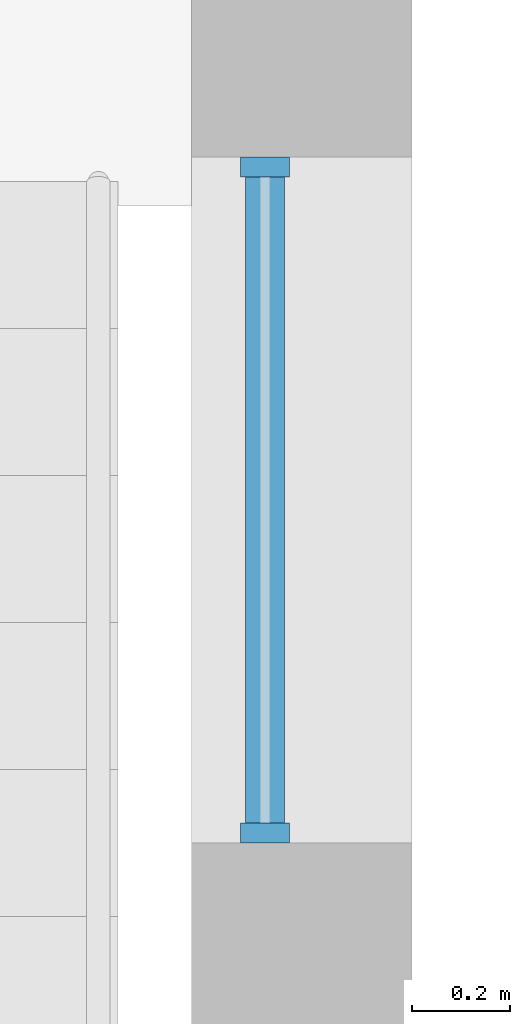
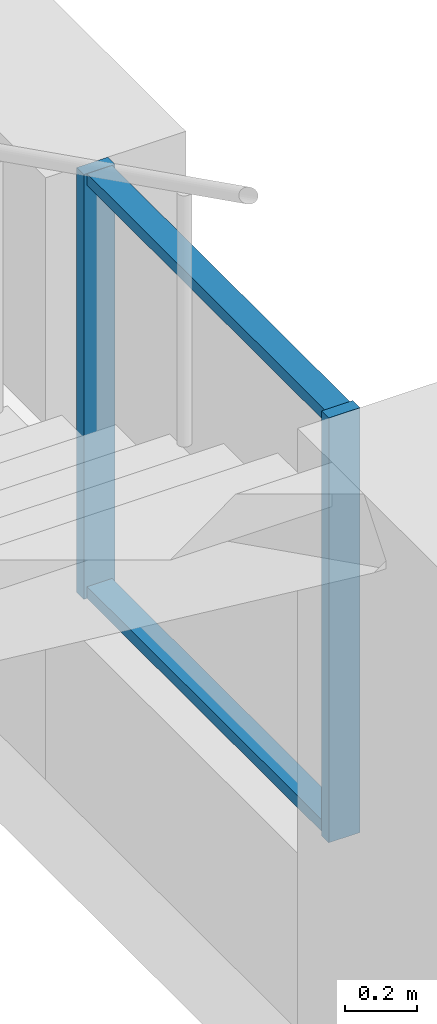
# One storey, part 5 of 48: 4 members, 1 element without a shape of its own.
"""IFC4 building model written with IfcOpenShell, lengths in metres."""

from ifc_helpers import new_model, si_unit, direction, frame, origin, origin_2d, place, context, subcontext, project, spatial, rectangle, extrude, material, material_profile, profile_set, type_object, element, aggregate, save


model = new_model("IFC4")

# Units and contexts
model_context = context("Model", 3, precision=1e-05, world=origin(), true_north=direction((0.0, 1.0)))
body_context = subcontext(model_context, "Body", "Model", "MODEL_VIEW")
ifc_project = project(units=[si_unit("LENGTHUNIT", "METRE"), si_unit("AREAUNIT", "SQUARE_METRE"), si_unit("VOLUMEUNIT", "CUBIC_METRE"), si_unit("PLANEANGLEUNIT", "RADIAN"), si_unit("MASSUNIT", "GRAM", prefix="KILO")], contexts=[model_context])

# Site, building, storey
site_placement = place(None, origin())
site = spatial("IfcSite", under=ifc_project, at=site_placement, CompositionType="ELEMENT")
building_placement = place(site_placement, origin())
building = spatial("IfcBuilding", under=site, at=building_placement, Name="Yavir Park General Hospital", CompositionType="ELEMENT")
storey_placement = place(building_placement, frame((0.0, 0.0, 12.89990234375)))
storey = spatial("IfcBuildingStorey", under=building, at=storey_placement, Name="I02", CompositionType="ELEMENT", Elevation=12.89990234375)

# Curtain wall, members
ifc_material_1 = material(Name="Aluminium curtain wall frame with insulated glazing", Category="aluminium")
curtain_wall_type = type_object("IfcCurtainWallType", Name="Stair light slot, interstitial floor, 1440 high, 1400 module", PredefinedType="NOTDEFINED", material=ifc_material_1)
curtain_wall_placement = place(storey_placement, origin())
curtain_wall = element("IfcCurtainWall", 1, at=curtain_wall_placement, inside=storey, type_object=curtain_wall_type, Name="CW12 I02-009", PredefinedType="NOTDEFINED")
ifc_material_2 = material(Name="Aluminium", Category="aluminium")
ifc_material_profile_1 = material_profile(ifc_material_2, rectangle(XDim=0.10009765625, YDim=0.0400390625, at=origin_2d()), Name="AL 40x100")
ifc_profile_set_1 = profile_set([ifc_material_profile_1], Name="Aluminium")
member_type_1 = type_object("IfcMemberType", Name="Stair light slot, interstitial floor, 1440 high mullion 40 x 100", PredefinedType="MULLION", material=ifc_profile_set_1)
member_1_placement = place(storey_placement, frame((25.199951171875, 45.169921875, 0.60009765625), z_axis=(0.0, 0.0, 1.0), x_axis=(-1.0, 0.0, 0.0)))
member_1 = element("IfcMember", 2, at=member_1_placement, type_object=member_type_1, Name="CW12 mullion 1", PredefinedType="MULLION", context=body_context, shape_type="SweptSolid", body=[
    extrude(rectangle(XDim=0.10009765625, YDim=0.0400390625, at=origin_2d()), origin(), (0.0, 0.0, 1.0), 1.43994140625),
])
member_2_placement = place(storey_placement, frame((25.199951171875, 46.530029296875, 0.60009765625), z_axis=(0.0, 0.0, 1.0), x_axis=(-1.0, 0.0, 0.0)))
member_2 = element("IfcMember", 3, at=member_2_placement, type_object=member_type_1, Name="CW12 mullion 2", PredefinedType="MULLION", context=body_context, shape_type="SweptSolid", body=[
    extrude(rectangle(XDim=0.10009765625, YDim=0.0400390625, at=origin_2d()), origin(), (0.0, 0.0, 1.0), 1.43994140625),
])
ifc_material_3 = material(Name="Aluminium", Category="aluminium")
ifc_material_profile_2 = material_profile(ifc_material_3, rectangle(XDim=0.080078125, YDim=0.0400390625, at=origin_2d()), Name="AL 80x40")
ifc_profile_set_2 = profile_set([ifc_material_profile_2], Name="Aluminium")
member_type_2 = type_object("IfcMemberType", Name="Stair light slot, interstitial floor, 1440 high transom 40 x 80", PredefinedType="MULLION", material=ifc_profile_set_2)
member_3_placement = place(storey_placement, frame((25.199951171875, 45.18994140625, 0.6201171875), z_axis=(0.0, 1.0, 0.0), x_axis=(-1.0, 0.0, 0.0)))
member_3 = element("IfcMember", 4, at=member_3_placement, type_object=member_type_2, Name="CW12 transom 1.1", PredefinedType="MULLION", context=body_context, shape_type="SweptSolid", body=[
    extrude(rectangle(XDim=0.080078125, YDim=0.0400390625, at=origin_2d()), origin(), (0.0, 0.0, 1.0), 1.320068359375),
])
member_4_placement = place(storey_placement, frame((25.199951171875, 45.18994140625, 2.02001953125), z_axis=(0.0, 1.0, 0.0), x_axis=(-1.0, 0.0, 0.0)))
member_4 = element("IfcMember", 5, at=member_4_placement, type_object=member_type_2, Name="CW12 transom 1.2", PredefinedType="MULLION", context=body_context, shape_type="SweptSolid", body=[
    extrude(rectangle(XDim=0.080078125, YDim=0.0400390625, at=origin_2d()), origin(), (0.0, 0.0, 1.0), 1.320068359375),
])
aggregate(curtain_wall, [member_1, member_2, member_3, member_4])

save(model, "model.ifc")
